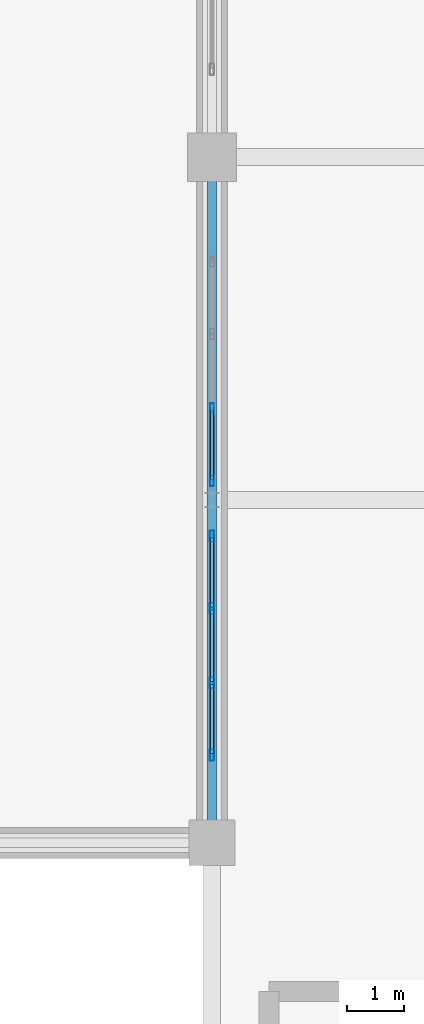
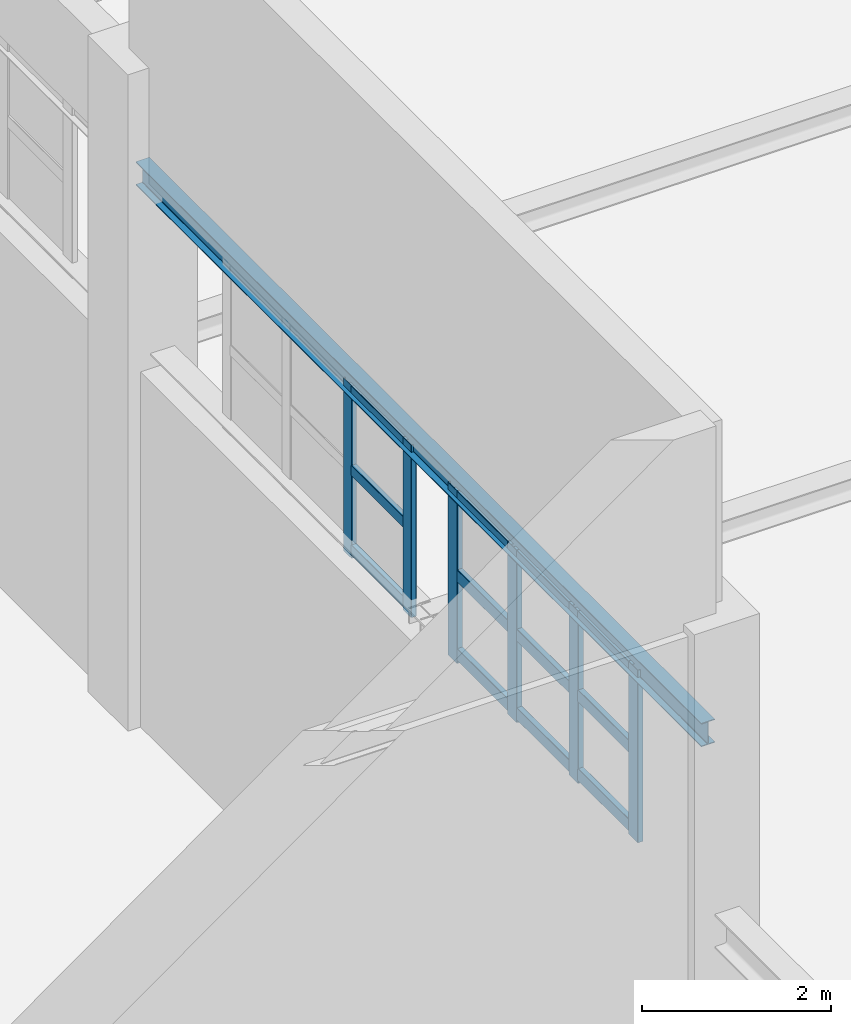
# One storey, part 24 of 97: 18 members, 1 beam, 2 elements without a shape of their own.
"""IFC4 building model written with IfcOpenShell, lengths in metres."""

from ifc_helpers import new_model, si_unit, derived_unit, direction, frame, origin, origin_2d, place, context, subcontext, project, spatial, hollow_rectangle, i_section, extrude, material, layer, layer_set, material_profile, profile_set, type_object, element, aggregate, save


model = new_model("IFC4")

# Units and contexts
model_context = context("Model", 3, precision=1e-05, world=origin(), true_north=direction((0.0, 1.0)))
body_context = subcontext(model_context, "Body", "Model", "MODEL_VIEW")
ifc_project = project(units=[si_unit("LENGTHUNIT", "METRE"), si_unit("AREAUNIT", "SQUARE_METRE"), si_unit("VOLUMEUNIT", "CUBIC_METRE"), si_unit("PLANEANGLEUNIT", "RADIAN"), si_unit("MASSUNIT", "GRAM", prefix="KILO"), derived_unit("THERMALTRANSMITTANCEUNIT", [(si_unit("POWERUNIT", "WATT"), 1), (si_unit("LENGTHUNIT", "METRE"), -2), (si_unit("THERMODYNAMICTEMPERATUREUNIT", "KELVIN"), -1)])], contexts=[model_context])

# Site, building, storey
site_placement = place(None, origin())
site = spatial("IfcSite", under=ifc_project, at=site_placement, CompositionType="ELEMENT")
building_placement = place(site_placement, origin())
building = spatial("IfcBuilding", under=site, at=building_placement, Name="Almenara Railside Exhibition Hall", CompositionType="ELEMENT")
storey_placement = place(building_placement, frame((0.0, 0.0, 10.800048828125)))
storey = spatial("IfcBuildingStorey", under=building, at=storey_placement, Name="L02", CompositionType="ELEMENT", Elevation=10.800048828125)

# Curtain wall, members
ifc_material_1 = material(Name="Bronze-anodised aluminium and low-E double glazing", Category="aluminium")
ifc_layer = layer(ifc_material_1, 0.179931640625, Name="Bronze-anodised aluminium and low-E double glazing")
ifc_layer_set = layer_set([ifc_layer], Name="Bronze-anodised aluminium and low-E double glazing")
curtain_wall_type = type_object("IfcCurtainWallType", Name="West Hall Clerestory Curtain Wall 3900x2200", PredefinedType="NOTDEFINED", material=ifc_layer_set)
curtain_wall_1_placement = place(storey_placement, origin())
curtain_wall_1 = element("IfcCurtainWall", 1, at=curtain_wall_1_placement, inside=storey, type_object=curtain_wall_type, Name="Curtain wall CW-CL2-004", PredefinedType="NOTDEFINED")
ifc_material_2 = material(Name="Bronze-anodised aluminium", Category="aluminium")
ifc_material_profile_1 = material_profile(ifc_material_2, hollow_rectangle(XDim=0.06494140625, YDim=0.179931640625, WallThickness=0.00390625, InnerFilletRadius=0.00390625, OuterFilletRadius=0.008056640625, at=origin_2d()), Name="ALU-MUL 65x180x4")
ifc_profile_set_1 = profile_set([ifc_material_profile_1], Name="Bronze-anodised aluminium")
member_type_1 = type_object("IfcMemberType", Name="Curtain Wall Mullion 65x180x4", PredefinedType="MULLION", material=ifc_profile_set_1)
member_1_placement = place(storey_placement, frame((66.0, 54.33251953125, 4.56494140625), z_axis=(0.0, 0.0, 1.0), x_axis=(-1.0, 0.0, 0.0)))
member_1 = element("IfcMember", 2, at=member_1_placement, type_object=member_type_1, Name="CW-CL2-004 mullion 1", PredefinedType="MULLION", context=body_context, shape_type="SweptSolid", body=[
    extrude(hollow_rectangle(XDim=0.06494140625, YDim=0.179931640625, WallThickness=0.00390625, InnerFilletRadius=0.00390625, OuterFilletRadius=0.008056640625, at=origin_2d()), origin(), (0.0, 0.0, 1.0), 2.235107421875),
])
member_2_placement = place(storey_placement, frame((66.0, 55.60009765625, 4.56494140625), z_axis=(0.0, 0.0, 1.0), x_axis=(-1.0, 0.0, 0.0)))
member_2 = element("IfcMember", 3, at=member_2_placement, type_object=member_type_1, Name="CW-CL2-004 mullion 2", PredefinedType="MULLION", context=body_context, shape_type="SweptSolid", body=[
    extrude(hollow_rectangle(XDim=0.06494140625, YDim=0.179931640625, WallThickness=0.00390625, InnerFilletRadius=0.00390625, OuterFilletRadius=0.008056640625, at=origin_2d()), origin(), (0.0, 0.0, 1.0), 2.235107421875),
])

curtain_wall_2_placement = place(storey_placement, origin())
curtain_wall_2 = element("IfcCurtainWall", 4, at=curtain_wall_2_placement, inside=storey, type_object=curtain_wall_type, Name="Curtain wall CW-CL2-003", PredefinedType="NOTDEFINED")
ifc_material_profile_2 = material_profile(ifc_material_2, hollow_rectangle(XDim=0.070068359375, YDim=0.199951171875, WallThickness=0.00439453125, InnerFilletRadius=0.00439453125, OuterFilletRadius=0.009033203125, at=origin_2d()), Name="ALU-MUL 70x200x4.5")
ifc_profile_set_2 = profile_set([ifc_material_profile_2], Name="Bronze-anodised aluminium")
member_type_2 = type_object("IfcMemberType", Name="Curtain Wall Mullion 70x200x4.5", PredefinedType="MULLION", material=ifc_profile_set_2)
member_3_placement = place(storey_placement, frame((66.0, 49.534912109375, 4.56494140625), z_axis=(0.0, 0.0, 1.0), x_axis=(-1.0, 0.0, 0.0)))
member_3 = element("IfcMember", 5, at=member_3_placement, type_object=member_type_2, Name="CW-CL2-003 mullion 1", PredefinedType="MULLION", context=body_context, shape_type="SweptSolid", body=[
    extrude(hollow_rectangle(XDim=0.070068359375, YDim=0.199951171875, WallThickness=0.00439453125, InnerFilletRadius=0.00439453125, OuterFilletRadius=0.009033203125, at=origin_2d()), origin(), (0.0, 0.0, 1.0), 2.235107421875),
])
member_4_placement = place(storey_placement, frame((66.0, 50.800048828125, 4.56494140625), z_axis=(0.0, 0.0, 1.0), x_axis=(-1.0, 0.0, 0.0)))
member_4 = element("IfcMember", 6, at=member_4_placement, type_object=member_type_2, Name="CW-CL2-003 mullion 2", PredefinedType="MULLION", context=body_context, shape_type="SweptSolid", body=[
    extrude(hollow_rectangle(XDim=0.070068359375, YDim=0.199951171875, WallThickness=0.00439453125, InnerFilletRadius=0.00439453125, OuterFilletRadius=0.009033203125, at=origin_2d()), origin(), (0.0, 0.0, 1.0), 2.235107421875),
])
member_5_placement = place(storey_placement, frame((66.0, 52.10009765625, 4.56494140625), z_axis=(0.0, 0.0, 1.0), x_axis=(-1.0, 0.0, 0.0)))
member_5 = element("IfcMember", 7, at=member_5_placement, type_object=member_type_2, Name="CW-CL2-003 mullion 3", PredefinedType="MULLION", context=body_context, shape_type="SweptSolid", body=[
    extrude(hollow_rectangle(XDim=0.070068359375, YDim=0.199951171875, WallThickness=0.00439453125, InnerFilletRadius=0.00439453125, OuterFilletRadius=0.009033203125, at=origin_2d()), origin(), (0.0, 0.0, 1.0), 2.235107421875),
])
member_6_placement = place(storey_placement, frame((66.0, 53.364990234375, 4.56494140625), z_axis=(0.0, 0.0, 1.0), x_axis=(-1.0, 0.0, 0.0)))
member_6 = element("IfcMember", 8, at=member_6_placement, type_object=member_type_2, Name="CW-CL2-003 mullion 4", PredefinedType="MULLION", context=body_context, shape_type="SweptSolid", body=[
    extrude(hollow_rectangle(XDim=0.070068359375, YDim=0.199951171875, WallThickness=0.00439453125, InnerFilletRadius=0.00439453125, OuterFilletRadius=0.009033203125, at=origin_2d()), origin(), (0.0, 0.0, 1.0), 2.235107421875),
])

# Member
ifc_material_profile_3 = material_profile(ifc_material_2, hollow_rectangle(XDim=0.06494140625, YDim=0.139892578125, WallThickness=0.00341796875, InnerFilletRadius=0.00341796875, OuterFilletRadius=0.007080078125, at=origin_2d()), Name="ALU-TRN 65x140x3.5")
ifc_profile_set_3 = profile_set([ifc_material_profile_3], Name="Bronze-anodised aluminium")
member_type_3 = type_object("IfcMemberType", Name="Curtain Wall Transom 65x140x3.5", PredefinedType="USERDEFINED", material=ifc_profile_set_3)
member_7_placement = place(storey_placement, frame((66.0, 54.35693359375, 4.669921875), z_axis=(0.0, 1.0, 0.0), x_axis=(-1.0, 0.0, 0.0)))
member_7 = element("IfcMember", 9, at=member_7_placement, type_object=member_type_3, Name="CW-CL2-004 transom 1.1", ObjectType="TRANSOM", PredefinedType="USERDEFINED", context=body_context, shape_type="SweptSolid", body=[
    extrude(hollow_rectangle(XDim=0.06494140625, YDim=0.139892578125, WallThickness=0.00341796875, InnerFilletRadius=0.00341796875, OuterFilletRadius=0.007080078125, at=origin_2d()), origin(), (0.0, 0.0, 1.0), 1.218505859375),
])

member_8_placement = place(storey_placement, frame((66.0, 54.35693359375, 5.699951171875), z_axis=(0.0, 1.0, 0.0), x_axis=(-1.0, 0.0, 0.0)))
member_8 = element("IfcMember", 10, at=member_8_placement, type_object=member_type_3, Name="CW-CL2-004 transom 1.2", ObjectType="TRANSOM", PredefinedType="USERDEFINED", context=body_context, shape_type="SweptSolid", body=[
    extrude(hollow_rectangle(XDim=0.06494140625, YDim=0.139892578125, WallThickness=0.00341796875, InnerFilletRadius=0.00341796875, OuterFilletRadius=0.007080078125, at=origin_2d()), origin(), (0.0, 0.0, 1.0), 1.218505859375),
])

member_9_placement = place(storey_placement, frame((66.0, 54.35693359375, 6.72998046875), z_axis=(0.0, 1.0, 0.0), x_axis=(-1.0, 0.0, 0.0)))
member_9 = element("IfcMember", 11, at=member_9_placement, type_object=member_type_3, Name="CW-CL2-004 transom 1.3", ObjectType="TRANSOM", PredefinedType="USERDEFINED", context=body_context, shape_type="SweptSolid", body=[
    extrude(hollow_rectangle(XDim=0.06494140625, YDim=0.139892578125, WallThickness=0.00341796875, InnerFilletRadius=0.00341796875, OuterFilletRadius=0.007080078125, at=origin_2d()), origin(), (0.0, 0.0, 1.0), 1.218505859375),
])

aggregate(curtain_wall_1, [member_1, member_2, member_7, member_8, member_9])

ifc_material_profile_4 = material_profile(ifc_material_2, hollow_rectangle(XDim=0.070068359375, YDim=0.159912109375, WallThickness=0.00390625, InnerFilletRadius=0.00390625, OuterFilletRadius=0.008056640625, at=origin_2d()), Name="ALU-TRN 70x160x4")
ifc_profile_set_4 = profile_set([ifc_material_profile_4], Name="Bronze-anodised aluminium")
member_type_4 = type_object("IfcMemberType", Name="Curtain Wall Transom 70x160x4", PredefinedType="USERDEFINED", material=ifc_profile_set_4)
member_10_placement = place(storey_placement, frame((66.0, 49.56201171875, 4.679931640625), z_axis=(0.0, 1.0, 0.0), x_axis=(-1.0, 0.0, 0.0)))
member_10 = element("IfcMember", 12, at=member_10_placement, type_object=member_type_4, Name="CW-CL2-003 transom 1.1", ObjectType="TRANSOM", PredefinedType="USERDEFINED", context=body_context, shape_type="SweptSolid", body=[
    extrude(hollow_rectangle(XDim=0.070068359375, YDim=0.159912109375, WallThickness=0.00390625, InnerFilletRadius=0.00390625, OuterFilletRadius=0.008056640625, at=origin_2d()), origin(), (0.0, 0.0, 1.0), 1.2109375),
])

member_11_placement = place(storey_placement, frame((66.0, 49.56201171875, 5.699951171875), z_axis=(0.0, 1.0, 0.0), x_axis=(-1.0, 0.0, 0.0)))
member_11 = element("IfcMember", 13, at=member_11_placement, type_object=member_type_4, Name="CW-CL2-003 transom 1.2", ObjectType="TRANSOM", PredefinedType="USERDEFINED", context=body_context, shape_type="SweptSolid", body=[
    extrude(hollow_rectangle(XDim=0.070068359375, YDim=0.159912109375, WallThickness=0.00390625, InnerFilletRadius=0.00390625, OuterFilletRadius=0.008056640625, at=origin_2d()), origin(), (0.0, 0.0, 1.0), 1.2109375),
])

member_12_placement = place(storey_placement, frame((66.0, 49.56201171875, 6.719970703125), z_axis=(0.0, 1.0, 0.0), x_axis=(-1.0, 0.0, 0.0)))
member_12 = element("IfcMember", 14, at=member_12_placement, type_object=member_type_4, Name="CW-CL2-003 transom 1.3", ObjectType="TRANSOM", PredefinedType="USERDEFINED", context=body_context, shape_type="SweptSolid", body=[
    extrude(hollow_rectangle(XDim=0.070068359375, YDim=0.159912109375, WallThickness=0.00390625, InnerFilletRadius=0.00390625, OuterFilletRadius=0.008056640625, at=origin_2d()), origin(), (0.0, 0.0, 1.0), 1.2109375),
])

member_13_placement = place(storey_placement, frame((66.0, 50.826904296875, 4.679931640625), z_axis=(0.0, 1.0, 0.0), x_axis=(-1.0, 0.0, 0.0)))
member_13 = element("IfcMember", 15, at=member_13_placement, type_object=member_type_4, Name="CW-CL2-003 transom 2.1", ObjectType="TRANSOM", PredefinedType="USERDEFINED", context=body_context, shape_type="SweptSolid", body=[
    extrude(hollow_rectangle(XDim=0.070068359375, YDim=0.159912109375, WallThickness=0.00390625, InnerFilletRadius=0.00390625, OuterFilletRadius=0.008056640625, at=origin_2d()), origin(), (0.0, 0.0, 1.0), 1.24609375),
])

member_14_placement = place(storey_placement, frame((66.0, 50.826904296875, 5.699951171875), z_axis=(0.0, 1.0, 0.0), x_axis=(-1.0, 0.0, 0.0)))
member_14 = element("IfcMember", 16, at=member_14_placement, type_object=member_type_4, Name="CW-CL2-003 transom 2.2", ObjectType="TRANSOM", PredefinedType="USERDEFINED", context=body_context, shape_type="SweptSolid", body=[
    extrude(hollow_rectangle(XDim=0.070068359375, YDim=0.159912109375, WallThickness=0.00390625, InnerFilletRadius=0.00390625, OuterFilletRadius=0.008056640625, at=origin_2d()), origin(), (0.0, 0.0, 1.0), 1.24609375),
])

member_15_placement = place(storey_placement, frame((66.0, 50.826904296875, 6.719970703125), z_axis=(0.0, 1.0, 0.0), x_axis=(-1.0, 0.0, 0.0)))
member_15 = element("IfcMember", 17, at=member_15_placement, type_object=member_type_4, Name="CW-CL2-003 transom 2.3", ObjectType="TRANSOM", PredefinedType="USERDEFINED", context=body_context, shape_type="SweptSolid", body=[
    extrude(hollow_rectangle(XDim=0.070068359375, YDim=0.159912109375, WallThickness=0.00390625, InnerFilletRadius=0.00390625, OuterFilletRadius=0.008056640625, at=origin_2d()), origin(), (0.0, 0.0, 1.0), 1.24609375),
])

member_16_placement = place(storey_placement, frame((66.0, 52.126953125, 4.679931640625), z_axis=(0.0, 1.0, 0.0), x_axis=(-1.0, 0.0, 0.0)))
member_16 = element("IfcMember", 18, at=member_16_placement, type_object=member_type_4, Name="CW-CL2-003 transom 3.1", ObjectType="TRANSOM", PredefinedType="USERDEFINED", context=body_context, shape_type="SweptSolid", body=[
    extrude(hollow_rectangle(XDim=0.070068359375, YDim=0.159912109375, WallThickness=0.00390625, InnerFilletRadius=0.00390625, OuterFilletRadius=0.008056640625, at=origin_2d()), origin(), (0.0, 0.0, 1.0), 1.2109375),
])

member_17_placement = place(storey_placement, frame((66.0, 52.126953125, 5.699951171875), z_axis=(0.0, 1.0, 0.0), x_axis=(-1.0, 0.0, 0.0)))
member_17 = element("IfcMember", 19, at=member_17_placement, type_object=member_type_4, Name="CW-CL2-003 transom 3.2", ObjectType="TRANSOM", PredefinedType="USERDEFINED", context=body_context, shape_type="SweptSolid", body=[
    extrude(hollow_rectangle(XDim=0.070068359375, YDim=0.159912109375, WallThickness=0.00390625, InnerFilletRadius=0.00390625, OuterFilletRadius=0.008056640625, at=origin_2d()), origin(), (0.0, 0.0, 1.0), 1.2109375),
])

member_18_placement = place(storey_placement, frame((66.0, 52.126953125, 6.719970703125), z_axis=(0.0, 1.0, 0.0), x_axis=(-1.0, 0.0, 0.0)))
member_18 = element("IfcMember", 20, at=member_18_placement, type_object=member_type_4, Name="CW-CL2-003 transom 3.3", ObjectType="TRANSOM", PredefinedType="USERDEFINED", context=body_context, shape_type="SweptSolid", body=[
    extrude(hollow_rectangle(XDim=0.070068359375, YDim=0.159912109375, WallThickness=0.00390625, InnerFilletRadius=0.00390625, OuterFilletRadius=0.008056640625, at=origin_2d()), origin(), (0.0, 0.0, 1.0), 1.2109375),
])

aggregate(curtain_wall_2, [member_3, member_4, member_5, member_6, member_10, member_11, member_12, member_13, member_14, member_15, member_16, member_17, member_18])

# Beam
ifc_material_3 = material(Name="Structural steel S355JR", Category="steel")
ifc_material_profile_5 = material_profile(ifc_material_3, i_section(OverallWidth=0.1650390625, OverallDepth=0.303466796875, WebThickness=0.006103515625, FlangeThickness=0.01025390625, FilletRadius=0.0087890625, at=origin_2d()), Name="UB 305x165x40")
ifc_profile_set_5 = profile_set([ifc_material_profile_5], Name="Structural steel S355JR")
beam_type = type_object("IfcBeamType", Name="Steel Canopy Edge Spandrel UB 305x165x40 S355JR", PredefinedType="SPANDREL", material=ifc_profile_set_5)
beam_placement = place(storey_placement, frame((66.0, 48.0, 6.84814453125), z_axis=(0.0, 1.0, 0.0), x_axis=(-1.0, 0.0, 0.0)))
element("IfcBeam", 21, at=beam_placement, inside=storey, type_object=beam_type, Name="BM-CRNLNT-V1-66-48", PredefinedType="SPANDREL", context=body_context, shape_type="SweptSolid", body=[
    extrude(i_section(OverallWidth=0.1650390625, OverallDepth=0.303466796875, WebThickness=0.006103515625, FlangeThickness=0.01025390625, FilletRadius=0.0087890625, at=origin_2d()), origin(), (0.0, 0.0, 1.0), 12.0),
])

save(model, "model.ifc")
